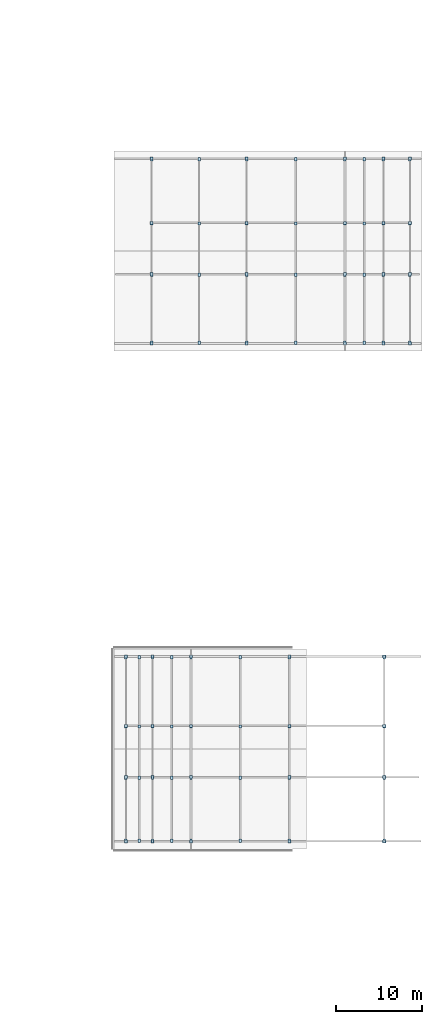
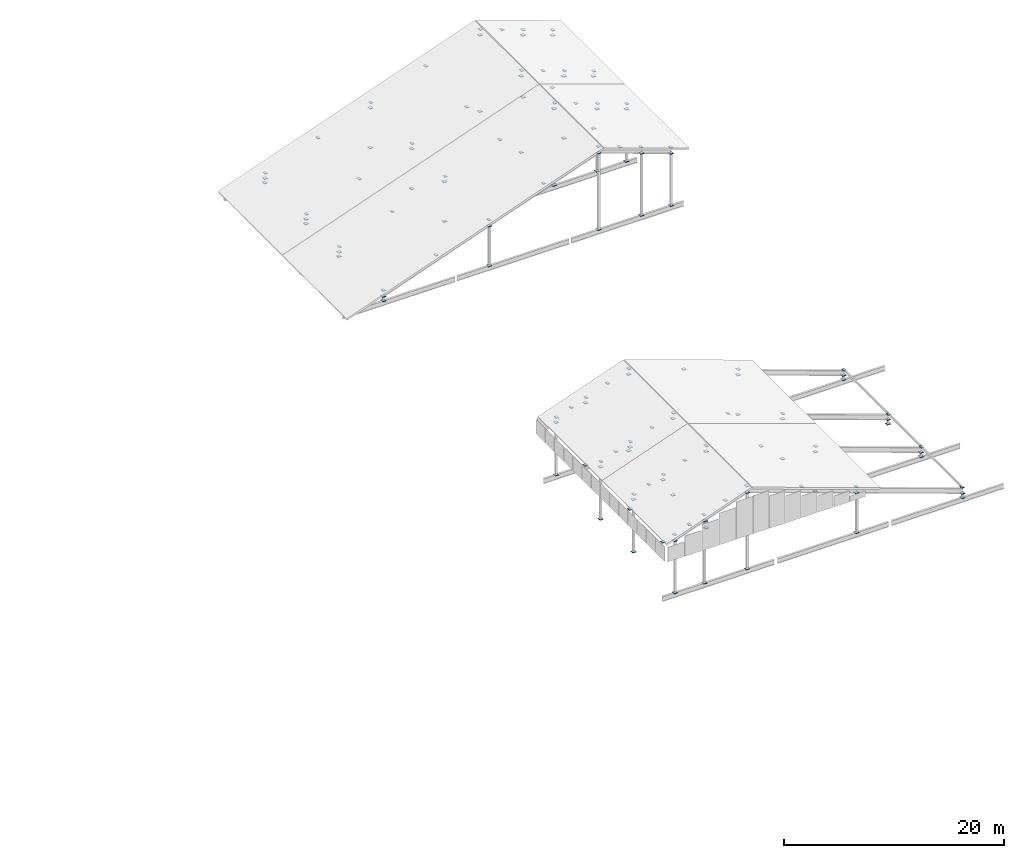
# One storey, part 40 of 42: 144 plates.
"""IFC4 building model written with IfcOpenShell, lengths in metres."""

from ifc_helpers import new_model, si_unit, direction, frame, origin, origin_2d, place, context, subcontext, project, spatial, rectangle, extrude, material, layer, layer_set, type_object, element, save


model = new_model("IFC4")

# Units and contexts
model_context = context("Model", 3, precision=1e-05, world=origin(), true_north=direction((0.0, 1.0)))
body_context = subcontext(model_context, "Body", "Model", "MODEL_VIEW")
ifc_project = project(units=[si_unit("LENGTHUNIT", "METRE"), si_unit("AREAUNIT", "SQUARE_METRE"), si_unit("VOLUMEUNIT", "CUBIC_METRE"), si_unit("PLANEANGLEUNIT", "RADIAN"), si_unit("MASSUNIT", "GRAM", prefix="KILO")], contexts=[model_context])

# Site, building, storey
site_placement = place(None, origin())
site = spatial("IfcSite", under=ifc_project, at=site_placement, CompositionType="ELEMENT")
building_placement = place(site_placement, origin())
building = spatial("IfcBuilding", under=site, at=building_placement, Name="Kelmvaro Bay Concert Hall", CompositionType="ELEMENT")
storey_placement = place(building_placement, frame((0.0, 0.0, 26.699951171875)))
storey = spatial("IfcBuildingStorey", under=building, at=storey_placement, Name="RF", CompositionType="ELEMENT", Elevation=26.699951171875)

# Plates
ifc_material_1 = material(Name="Steel ASTM A572 Grade 50", Category="steel")
ifc_layer_1 = layer(ifc_material_1, 0.01611328125)
ifc_layer_set_1 = layer_set([ifc_layer_1], Name="Steel ASTM A572 Grade 50")
plate_type_1 = type_object("IfcPlateType", Name="CHS Post End Closure Plate 360x360x16", PredefinedType="SHEET", material=ifc_layer_set_1)
for number, where, z_axis, x_axis, name in (
    (1, (136.39990234375, 74.699951171875, -8.430908203125), (0.0, 0.0, 1.0), (1.0, 0.0, 0.0), "STR-V2-026 Base Plate"),
    (2, (136.39990234375, 74.699951171875, -7.943603515625), (0.0, 0.0, 1.0), (1.0, 0.0, 0.0), "STR-V2-026 Cap Plate"),
    (3, (147.5, 74.699951171875, -8.430908203125), (0.0, 0.0, 1.0), (1.0, 0.0, 0.0), "STR-V2-027 Base Plate"),
    (4, (147.5, 74.699951171875, -4.012939453125), (0.0, 0.0, 1.0), (1.0, 0.0, 0.0), "STR-V2-027 Cap Plate"),
    (5, (159.0, 74.699951171875, -8.430908203125), (0.0, 0.0, 1.0), (1.0, 0.0, 0.0), "STR-V2-028 Base Plate"),
    (6, (159.0, 74.699951171875, 0.059326171875), (0.0, 0.0, 1.0), (1.0, 0.0, 0.0), "STR-V2-028 Cap Plate"),
    (7, (163.5, 74.699951171875, -8.430908203125), (0.0, 0.0, 1.0), (1.0, 0.0, 0.0), "STR-V2-029 Base Plate"),
    (8, (163.5, 74.699951171875, -1.5341796875), (0.0, 0.0, 1.0), (1.0, 0.0, 0.0), "STR-V2-029 Cap Plate"),
    (9, (166.60009765625, 74.699951171875, -8.430908203125), (0.0, 0.0, 1.0), (1.0, 0.0, 0.0), "STR-V2-030 Base Plate"),
    (10, (166.60009765625, 74.699951171875, -2.6318359375), (0.0, 0.0, 1.0), (1.0, 0.0, 0.0), "STR-V2-030 Cap Plate"),
    (11, (136.39990234375, 82.800048828125, -8.430908203125), (0.0, 0.0, 1.0), (1.0, 0.0, 0.0), "STR-V2-031 Base Plate"),
    (12, (136.39990234375, 82.800048828125, -7.943603515625), (0.0, 0.0, 1.0), (1.0, 0.0, 0.0), "STR-V2-031 Cap Plate"),
    (13, (147.5, 82.800048828125, -8.430908203125), (0.0, 0.0, 1.0), (1.0, 0.0, 0.0), "STR-V2-032 Base Plate"),
    (14, (147.5, 82.800048828125, -4.012939453125), (0.0, 0.0, 1.0), (1.0, 0.0, 0.0), "STR-V2-032 Cap Plate"),
    (15, (159.0, 82.800048828125, -8.430908203125), (0.0, 0.0, 1.0), (1.0, 0.0, 0.0), "STR-V2-033 Base Plate"),
    (16, (159.0, 82.800048828125, 0.059326171875), (0.0, 0.0, 1.0), (1.0, 0.0, 0.0), "STR-V2-033 Cap Plate"),
    (17, (163.5, 82.800048828125, -8.430908203125), (0.0, 0.0, 1.0), (1.0, 0.0, 0.0), "STR-V2-034 Base Plate"),
    (18, (163.5, 82.800048828125, -1.5341796875), (0.0, 0.0, 1.0), (1.0, 0.0, 0.0), "STR-V2-034 Cap Plate"),
    (19, (166.60009765625, 82.800048828125, -8.430908203125), (0.0, 0.0, 1.0), (1.0, 0.0, 0.0), "STR-V2-035 Base Plate"),
    (20, (166.60009765625, 82.800048828125, -2.6318359375), (0.0, 0.0, 1.0), (1.0, 0.0, 0.0), "STR-V2-035 Cap Plate"),
    (21, (136.39990234375, 88.800048828125, -8.430908203125), (0.0, 0.0, 1.0), (1.0, 0.0, 0.0), "STR-V2-036 Base Plate"),
    (22, (136.39990234375, 88.800048828125, -7.943603515625), (0.0, 0.0, 1.0), (1.0, 0.0, 0.0), "STR-V2-036 Cap Plate"),
    (23, (147.5, 88.800048828125, -8.430908203125), (0.0, 0.0, 1.0), (1.0, 0.0, 0.0), "STR-V2-037 Base Plate"),
    (24, (147.5, 88.800048828125, -4.012939453125), (0.0, 0.0, 1.0), (1.0, 0.0, 0.0), "STR-V2-037 Cap Plate"),
    (25, (159.0, 88.800048828125, -8.430908203125), (0.0, 0.0, 1.0), (1.0, 0.0, 0.0), "STR-V2-038 Base Plate"),
    (26, (159.0, 88.800048828125, 0.059326171875), (0.0, 0.0, 1.0), (1.0, 0.0, 0.0), "STR-V2-038 Cap Plate"),
    (27, (163.5, 88.800048828125, -8.430908203125), (0.0, 0.0, 1.0), (1.0, 0.0, 0.0), "STR-V2-039 Base Plate"),
    (28, (163.5, 88.800048828125, -1.5341796875), (0.0, 0.0, 1.0), (1.0, 0.0, 0.0), "STR-V2-039 Cap Plate"),
    (29, (166.60009765625, 88.800048828125, -8.430908203125), (0.0, 0.0, 1.0), (1.0, 0.0, 0.0), "STR-V2-040 Base Plate"),
    (30, (166.60009765625, 88.800048828125, -2.6318359375), (0.0, 0.0, 1.0), (1.0, 0.0, 0.0), "STR-V2-040 Cap Plate"),
    (31, (136.39990234375, 96.300048828125, -8.430908203125), (0.0, 0.0, 1.0), (1.0, 0.0, 0.0), "STR-V2-041 Base Plate"),
    (32, (136.39990234375, 96.300048828125, -7.943603515625), (0.0, 0.0, 1.0), (1.0, 0.0, 0.0), "STR-V2-041 Cap Plate"),
    (33, (147.5, 96.300048828125, -8.430908203125), (0.0, 0.0, 1.0), (1.0, 0.0, 0.0), "STR-V2-042 Base Plate"),
    (34, (147.5, 96.300048828125, -4.012939453125), (0.0, 0.0, 1.0), (1.0, 0.0, 0.0), "STR-V2-042 Cap Plate"),
    (35, (159.0, 96.300048828125, -8.430908203125), (0.0, 0.0, 1.0), (1.0, 0.0, 0.0), "STR-V2-043 Base Plate"),
    (36, (159.0, 96.300048828125, 0.059326171875), (0.0, 0.0, 1.0), (1.0, 0.0, 0.0), "STR-V2-043 Cap Plate"),
    (37, (163.5, 96.300048828125, -8.430908203125), (0.0, 0.0, 1.0), (1.0, 0.0, 0.0), "STR-V2-044 Base Plate"),
    (38, (163.5, 96.300048828125, -1.5341796875), (0.0, 0.0, 1.0), (1.0, 0.0, 0.0), "STR-V2-044 Cap Plate"),
    (39, (166.60009765625, 96.300048828125, -8.430908203125), (0.0, 0.0, 1.0), (1.0, 0.0, 0.0), "STR-V2-045 Base Plate"),
    (40, (166.60009765625, 96.300048828125, -2.6318359375), (0.0, 0.0, 1.0), (1.0, 0.0, 0.0), "STR-V2-045 Cap Plate"),
    (41, (133.39990234375, 16.5, -4.531005859375), (0.0, 0.0, 1.0), (1.0, 0.0, 0.0), "STR-V4-046 Base Plate"),
    (42, (133.39990234375, 16.5, 1.26806640625), (0.0, 0.0, 1.0), (1.0, 0.0, 0.0), "STR-V4-046 Cap Plate"),
    (43, (136.5, 16.5, -4.531005859375), (0.0, 0.0, 1.0), (1.0, 0.0, 0.0), "STR-V4-047 Base Plate"),
    (44, (136.5, 16.5, 2.365966796875), (0.0, 0.0, 1.0), (1.0, 0.0, 0.0), "STR-V4-047 Cap Plate"),
    (45, (141.0, 16.5, -4.531005859375), (0.0, 0.0, 1.0), (1.0, 0.0, 0.0), "STR-V4-048 Base Plate"),
    (46, (141.0, 16.5, 3.95947265625), (0.0, 0.0, 1.0), (1.0, 0.0, 0.0), "STR-V4-048 Cap Plate"),
    (47, (152.5, 16.5, -4.531005859375), (0.0, 0.0, 1.0), (1.0, 0.0, 0.0), "STR-V4-049 Base Plate"),
    (48, (152.5, 16.5, -0.11279296875), (0.0, 0.0, 1.0), (1.0, 0.0, 0.0), "STR-V4-049 Cap Plate"),
    (49, (163.60009765625, 16.5, -4.531005859375), (0.0, 0.0, 1.0), (1.0, 0.0, 0.0), "STR-V4-050 Base Plate"),
    (50, (163.60009765625, 16.5, -4.043701171875), (0.0, 0.0, 1.0), (1.0, 0.0, 0.0), "STR-V4-050 Cap Plate"),
    (51, (133.39990234375, 24.0, -4.531005859375), (0.0, 0.0, 1.0), (1.0, 0.0, 0.0), "STR-V4-051 Base Plate"),
    (52, (133.39990234375, 24.0, 1.26806640625), (0.0, 0.0, 1.0), (1.0, 0.0, 0.0), "STR-V4-051 Cap Plate"),
    (53, (136.5, 24.0, -4.531005859375), (0.0, 0.0, 1.0), (1.0, 0.0, 0.0), "STR-V4-052 Base Plate"),
    (54, (136.5, 24.0, 2.365966796875), (0.0, 0.0, 1.0), (1.0, 0.0, 0.0), "STR-V4-052 Cap Plate"),
    (55, (141.0, 24.0, -4.531005859375), (0.0, 0.0, 1.0), (1.0, 0.0, 0.0), "STR-V4-053 Base Plate"),
    (56, (141.0, 24.0, 3.95947265625), (0.0, 0.0, 1.0), (1.0, 0.0, 0.0), "STR-V4-053 Cap Plate"),
    (57, (152.5, 24.0, -4.531005859375), (0.0, 0.0, 1.0), (1.0, 0.0, 0.0), "STR-V4-054 Base Plate"),
    (58, (152.5, 24.0, -0.11279296875), (0.0, 0.0, 1.0), (1.0, 0.0, 0.0), "STR-V4-054 Cap Plate"),
    (59, (163.60009765625, 24.0, -4.531005859375), (0.0, 0.0, 1.0), (1.0, 0.0, 0.0), "STR-V4-055 Base Plate"),
    (60, (163.60009765625, 24.0, -4.043701171875), (0.0, 0.0, 1.0), (1.0, 0.0, 0.0), "STR-V4-055 Cap Plate"),
    (61, (133.39990234375, 30.0, -4.531005859375), (0.0, 0.0, 1.0), (1.0, 0.0, 0.0), "STR-V4-056 Base Plate"),
    (62, (133.39990234375, 30.0, 1.26806640625), (0.0, 0.0, 1.0), (1.0, 0.0, 0.0), "STR-V4-056 Cap Plate"),
    (63, (136.5, 30.0, -4.531005859375), (0.0, 0.0, 1.0), (1.0, 0.0, 0.0), "STR-V4-057 Base Plate"),
    (64, (136.5, 30.0, 2.365966796875), (0.0, 0.0, 1.0), (1.0, 0.0, 0.0), "STR-V4-057 Cap Plate"),
    (65, (141.0, 30.0, -4.531005859375), (0.0, 0.0, 1.0), (1.0, 0.0, 0.0), "STR-V4-058 Base Plate"),
    (66, (141.0, 30.0, 3.95947265625), (0.0, 0.0, 1.0), (1.0, 0.0, 0.0), "STR-V4-058 Cap Plate"),
    (67, (152.5, 30.0, -4.531005859375), (0.0, 0.0, 1.0), (1.0, 0.0, 0.0), "STR-V4-059 Base Plate"),
    (68, (152.5, 30.0, -0.11279296875), (0.0, 0.0, 1.0), (1.0, 0.0, 0.0), "STR-V4-059 Cap Plate"),
    (69, (163.60009765625, 30.0, -4.531005859375), (0.0, 0.0, 1.0), (1.0, 0.0, 0.0), "STR-V4-060 Base Plate"),
    (70, (163.60009765625, 30.0, -4.043701171875), (0.0, 0.0, 1.0), (1.0, 0.0, 0.0), "STR-V4-060 Cap Plate"),
    (71, (133.39990234375, 38.10009765625, -4.531005859375), (0.0, 0.0, 1.0), (1.0, 0.0, 0.0), "STR-V4-061 Base Plate"),
    (72, (133.39990234375, 38.10009765625, 1.26806640625), (0.0, 0.0, 1.0), (1.0, 0.0, 0.0), "STR-V4-061 Cap Plate"),
    (73, (136.5, 38.10009765625, -4.531005859375), (0.0, 0.0, 1.0), (1.0, 0.0, 0.0), "STR-V4-062 Base Plate"),
    (74, (136.5, 38.10009765625, 2.365966796875), (0.0, 0.0, 1.0), (1.0, 0.0, 0.0), "STR-V4-062 Cap Plate"),
    (75, (141.0, 38.10009765625, -4.531005859375), (0.0, 0.0, 1.0), (1.0, 0.0, 0.0), "STR-V4-063 Base Plate"),
    (76, (141.0, 38.10009765625, 3.95947265625), (0.0, 0.0, 1.0), (1.0, 0.0, 0.0), "STR-V4-063 Cap Plate"),
    (77, (152.5, 38.10009765625, -4.531005859375), (0.0, 0.0, 1.0), (1.0, 0.0, 0.0), "STR-V4-064 Base Plate"),
    (78, (152.5, 38.10009765625, -0.11279296875), (0.0, 0.0, 1.0), (1.0, 0.0, 0.0), "STR-V4-064 Cap Plate"),
    (79, (163.60009765625, 38.10009765625, -4.531005859375), (0.0, 0.0, 1.0), (1.0, 0.0, 0.0), "STR-V4-065 Base Plate"),
    (80, (163.60009765625, 38.10009765625, -4.043701171875), (0.0, 0.0, 1.0), (1.0, 0.0, 0.0), "STR-V4-065 Cap Plate"),
):
    element("IfcPlate", number, at=place(storey_placement, frame(where, z_axis=z_axis, x_axis=x_axis)), inside=storey, type_object=plate_type_1, Name=name, PredefinedType="SHEET", context=body_context, shape_type="SweptSolid", body=[
        extrude(rectangle(XDim=0.360107421875, YDim=0.360107421875, at=origin_2d()), origin(), (0.0, 0.0, 1.0), 0.01611328125),
    ])
ifc_material_2 = material(Name="Steel ASTM A572 Grade 50", Category="steel")
ifc_layer_2 = layer(ifc_material_2, 0.02001953125)
ifc_layer_set_2 = layer_set([ifc_layer_2], Name="Steel ASTM A572 Grade 50")
plate_type_2 = type_object("IfcPlateType", Name="HSS Purlin End Closure Plate 380x280x20", PredefinedType="SHEET", material=ifc_layer_set_2)
for number, where, z_axis, x_axis, name in (
    (81, (136.39990234375, 74.77197265625, -7.318603515625), (0.0, 0.0, 1.0), (0.0, 1.0, 0.0), "V2 Crystal Roof Purlin 033 End Cap Plate 1 (ND-04)"),
    (82, (136.39990234375, 82.72802734375, -7.318603515625), (0.0, 0.0, 1.0), (0.0, 1.0, 0.0), "V2 Crystal Roof Purlin 033 End Cap Plate 2 (ND-04)"),
    (83, (136.39990234375, 88.72802734375, -7.318603515625), (0.0, 0.0, 1.0), (0.0, 1.0, 0.0), "V2 Crystal Roof Purlin 034 End Cap Plate 2 (ND-04)"),
    (84, (136.39990234375, 96.22802734375, -7.318603515625), (0.0, 0.0, 1.0), (0.0, 1.0, 0.0), "V2 Crystal Roof Purlin 035 End Cap Plate 2 (ND-04)"),
    (85, (141.949951171875, 74.77197265625, -5.353271484375), (0.0, 0.0, 1.0), (0.0, 1.0, 0.0), "V2 Crystal Roof Purlin 036 End Cap Plate 1 (ND-04)"),
    (86, (141.949951171875, 82.72802734375, -5.353271484375), (0.0, 0.0, 1.0), (0.0, 1.0, 0.0), "V2 Crystal Roof Purlin 036 End Cap Plate 2 (ND-04)"),
    (87, (141.949951171875, 88.72802734375, -5.353271484375), (0.0, 0.0, 1.0), (0.0, 1.0, 0.0), "V2 Crystal Roof Purlin 037 End Cap Plate 2 (ND-04)"),
    (88, (141.949951171875, 96.22802734375, -5.353271484375), (0.0, 0.0, 1.0), (0.0, 1.0, 0.0), "V2 Crystal Roof Purlin 038 End Cap Plate 2 (ND-04)"),
    (89, (147.5, 74.77197265625, -3.372802734375), (0.0, 0.0, 1.0), (0.0, 1.0, 0.0), "V2 Crystal Roof Purlin 039 End Cap Plate 1 (ND-04)"),
    (90, (147.5, 82.72802734375, -3.372802734375), (0.0, 0.0, 1.0), (0.0, 1.0, 0.0), "V2 Crystal Roof Purlin 039 End Cap Plate 2 (ND-04)"),
    (91, (147.5, 88.72802734375, -3.372802734375), (0.0, 0.0, 1.0), (0.0, 1.0, 0.0), "V2 Crystal Roof Purlin 040 End Cap Plate 2 (ND-04)"),
    (92, (147.5, 96.22802734375, -3.372802734375), (0.0, 0.0, 1.0), (0.0, 1.0, 0.0), "V2 Crystal Roof Purlin 041 End Cap Plate 2 (ND-04)"),
    (93, (153.25, 74.77197265625, -1.336669921875), (0.0, 0.0, 1.0), (0.0, 1.0, 0.0), "V2 Crystal Roof Purlin 042 End Cap Plate 1 (ND-04)"),
    (94, (153.25, 82.72802734375, -1.336669921875), (0.0, 0.0, 1.0), (0.0, 1.0, 0.0), "V2 Crystal Roof Purlin 042 End Cap Plate 2 (ND-04)"),
    (95, (153.25, 88.72802734375, -1.336669921875), (0.0, 0.0, 1.0), (0.0, 1.0, 0.0), "V2 Crystal Roof Purlin 043 End Cap Plate 2 (ND-04)"),
    (96, (153.25, 96.22802734375, -1.336669921875), (0.0, 0.0, 1.0), (0.0, 1.0, 0.0), "V2 Crystal Roof Purlin 044 End Cap Plate 2 (ND-04)"),
    (97, (159.0, 74.77197265625, 0.724365234375), (0.0, 0.0, 1.0), (0.0, 1.0, 0.0), "V2 Crystal Roof Purlin 045 End Cap Plate 1 (ND-04)"),
    (98, (159.0, 82.72802734375, 0.724365234375), (0.0, 0.0, 1.0), (0.0, 1.0, 0.0), "V2 Crystal Roof Purlin 045 End Cap Plate 2 (ND-04)"),
    (99, (159.0, 88.72802734375, 0.724365234375), (0.0, 0.0, 1.0), (0.0, 1.0, 0.0), "V2 Crystal Roof Purlin 046 End Cap Plate 2 (ND-04)"),
    (100, (159.0, 96.22802734375, 0.724365234375), (0.0, 0.0, 1.0), (0.0, 1.0, 0.0), "V2 Crystal Roof Purlin 047 End Cap Plate 2 (ND-04)"),
    (101, (161.25, 74.77197265625, -0.097412109375), (0.0, 0.0, 1.0), (0.0, 1.0, 0.0), "V2 Crystal Roof Purlin 048 End Cap Plate 1 (ND-04)"),
    (102, (161.25, 82.72802734375, -0.097412109375), (0.0, 0.0, 1.0), (0.0, 1.0, 0.0), "V2 Crystal Roof Purlin 048 End Cap Plate 2 (ND-04)"),
    (103, (161.25, 88.72802734375, -0.097412109375), (0.0, 0.0, 1.0), (0.0, 1.0, 0.0), "V2 Crystal Roof Purlin 049 End Cap Plate 2 (ND-04)"),
    (104, (161.25, 96.22802734375, -0.097412109375), (0.0, 0.0, 1.0), (0.0, 1.0, 0.0), "V2 Crystal Roof Purlin 050 End Cap Plate 2 (ND-04)"),
    (105, (163.5, 74.77197265625, -0.89404296875), (0.0, 0.0, 1.0), (0.0, 1.0, 0.0), "V2 Crystal Roof Purlin 051 End Cap Plate 1 (ND-04)"),
    (106, (163.5, 82.72802734375, -0.89404296875), (0.0, 0.0, 1.0), (0.0, 1.0, 0.0), "V2 Crystal Roof Purlin 051 End Cap Plate 2 (ND-04)"),
    (107, (163.5, 88.72802734375, -0.89404296875), (0.0, 0.0, 1.0), (0.0, 1.0, 0.0), "V2 Crystal Roof Purlin 052 End Cap Plate 2 (ND-04)"),
    (108, (163.5, 96.22802734375, -0.89404296875), (0.0, 0.0, 1.0), (0.0, 1.0, 0.0), "V2 Crystal Roof Purlin 053 End Cap Plate 2 (ND-04)"),
    (109, (166.60009765625, 74.77197265625, -2.0068359375), (0.0, 0.0, 1.0), (0.0, 1.0, 0.0), "V2 Crystal Roof Purlin 054 End Cap Plate 1 (ND-04)"),
    (110, (166.60009765625, 82.72802734375, -2.0068359375), (0.0, 0.0, 1.0), (0.0, 1.0, 0.0), "V2 Crystal Roof Purlin 054 End Cap Plate 2 (ND-04)"),
    (111, (166.60009765625, 88.72802734375, -2.0068359375), (0.0, 0.0, 1.0), (0.0, 1.0, 0.0), "V2 Crystal Roof Purlin 055 End Cap Plate 2 (ND-04)"),
    (112, (166.60009765625, 96.22802734375, -2.0068359375), (0.0, 0.0, 1.0), (0.0, 1.0, 0.0), "V2 Crystal Roof Purlin 056 End Cap Plate 2 (ND-04)"),
    (113, (133.39990234375, 16.572021484375, 1.89306640625), (0.0, 0.0, 1.0), (0.0, 1.0, 0.0), "V4 Crystal Roof Purlin 057 End Cap Plate 1 (ND-04)"),
    (114, (133.39990234375, 23.927978515625, 1.89306640625), (0.0, 0.0, 1.0), (0.0, 1.0, 0.0), "V4 Crystal Roof Purlin 057 End Cap Plate 2 (ND-04)"),
    (115, (133.39990234375, 29.927978515625, 1.89306640625), (0.0, 0.0, 1.0), (0.0, 1.0, 0.0), "V4 Crystal Roof Purlin 058 End Cap Plate 2 (ND-04)"),
    (116, (133.39990234375, 38.028076171875, 1.89306640625), (0.0, 0.0, 1.0), (0.0, 1.0, 0.0), "V4 Crystal Roof Purlin 059 End Cap Plate 2 (ND-04)"),
    (117, (134.949951171875, 16.572021484375, 2.442138671875), (0.0, 0.0, 1.0), (0.0, 1.0, 0.0), "V4 Crystal Roof Purlin 060 End Cap Plate 1 (ND-04)"),
    (118, (134.949951171875, 23.927978515625, 2.442138671875), (0.0, 0.0, 1.0), (0.0, 1.0, 0.0), "V4 Crystal Roof Purlin 060 End Cap Plate 2 (ND-04)"),
    (119, (134.949951171875, 29.927978515625, 2.442138671875), (0.0, 0.0, 1.0), (0.0, 1.0, 0.0), "V4 Crystal Roof Purlin 061 End Cap Plate 2 (ND-04)"),
    (120, (134.949951171875, 38.028076171875, 2.442138671875), (0.0, 0.0, 1.0), (0.0, 1.0, 0.0), "V4 Crystal Roof Purlin 062 End Cap Plate 2 (ND-04)"),
    (121, (136.5, 16.572021484375, 3.005859375), (0.0, 0.0, 1.0), (0.0, 1.0, 0.0), "V4 Crystal Roof Purlin 063 End Cap Plate 1 (ND-04)"),
    (122, (136.5, 23.927978515625, 3.005859375), (0.0, 0.0, 1.0), (0.0, 1.0, 0.0), "V4 Crystal Roof Purlin 063 End Cap Plate 2 (ND-04)"),
    (123, (136.5, 29.927978515625, 3.005859375), (0.0, 0.0, 1.0), (0.0, 1.0, 0.0), "V4 Crystal Roof Purlin 064 End Cap Plate 2 (ND-04)"),
    (124, (136.5, 38.028076171875, 3.005859375), (0.0, 0.0, 1.0), (0.0, 1.0, 0.0), "V4 Crystal Roof Purlin 065 End Cap Plate 2 (ND-04)"),
    (125, (138.75, 16.572021484375, 3.802734375), (0.0, 0.0, 1.0), (0.0, 1.0, 0.0), "V4 Crystal Roof Purlin 066 End Cap Plate 1 (ND-04)"),
    (126, (138.75, 23.927978515625, 3.802734375), (0.0, 0.0, 1.0), (0.0, 1.0, 0.0), "V4 Crystal Roof Purlin 066 End Cap Plate 2 (ND-04)"),
    (127, (138.75, 29.927978515625, 3.802734375), (0.0, 0.0, 1.0), (0.0, 1.0, 0.0), "V4 Crystal Roof Purlin 067 End Cap Plate 2 (ND-04)"),
    (128, (138.75, 38.028076171875, 3.802734375), (0.0, 0.0, 1.0), (0.0, 1.0, 0.0), "V4 Crystal Roof Purlin 068 End Cap Plate 2 (ND-04)"),
    (129, (141.0, 16.572021484375, 4.62451171875), (0.0, 0.0, 1.0), (0.0, 1.0, 0.0), "V4 Crystal Roof Purlin 069 End Cap Plate 1 (ND-04)"),
    (130, (141.0, 23.927978515625, 4.62451171875), (0.0, 0.0, 1.0), (0.0, 1.0, 0.0), "V4 Crystal Roof Purlin 069 End Cap Plate 2 (ND-04)"),
    (131, (141.0, 29.927978515625, 4.62451171875), (0.0, 0.0, 1.0), (0.0, 1.0, 0.0), "V4 Crystal Roof Purlin 070 End Cap Plate 2 (ND-04)"),
    (132, (141.0, 38.028076171875, 4.62451171875), (0.0, 0.0, 1.0), (0.0, 1.0, 0.0), "V4 Crystal Roof Purlin 071 End Cap Plate 2 (ND-04)"),
    (133, (146.75, 16.572021484375, 2.563232421875), (0.0, 0.0, 1.0), (0.0, 1.0, 0.0), "V4 Crystal Roof Purlin 072 End Cap Plate 1 (ND-04)"),
    (134, (146.75, 23.927978515625, 2.563232421875), (0.0, 0.0, 1.0), (0.0, 1.0, 0.0), "V4 Crystal Roof Purlin 072 End Cap Plate 2 (ND-04)"),
    (135, (146.75, 29.927978515625, 2.563232421875), (0.0, 0.0, 1.0), (0.0, 1.0, 0.0), "V4 Crystal Roof Purlin 073 End Cap Plate 2 (ND-04)"),
    (136, (146.75, 38.028076171875, 2.563232421875), (0.0, 0.0, 1.0), (0.0, 1.0, 0.0), "V4 Crystal Roof Purlin 074 End Cap Plate 2 (ND-04)"),
    (137, (152.5, 16.572021484375, 0.527099609375), (0.0, 0.0, 1.0), (0.0, 1.0, 0.0), "V4 Crystal Roof Purlin 075 End Cap Plate 1 (ND-04)"),
    (138, (152.5, 23.927978515625, 0.527099609375), (0.0, 0.0, 1.0), (0.0, 1.0, 0.0), "V4 Crystal Roof Purlin 075 End Cap Plate 2 (ND-04)"),
    (139, (152.5, 29.927978515625, 0.527099609375), (0.0, 0.0, 1.0), (0.0, 1.0, 0.0), "V4 Crystal Roof Purlin 076 End Cap Plate 2 (ND-04)"),
    (140, (152.5, 38.028076171875, 0.527099609375), (0.0, 0.0, 1.0), (0.0, 1.0, 0.0), "V4 Crystal Roof Purlin 077 End Cap Plate 2 (ND-04)"),
    (141, (163.60009765625, 16.572021484375, -3.418701171875), (0.0, 0.0, 1.0), (0.0, 1.0, 0.0), "V4 Crystal Roof Purlin 078 End Cap Plate 1 (ND-04)"),
    (142, (163.60009765625, 23.927978515625, -3.418701171875), (0.0, 0.0, 1.0), (0.0, 1.0, 0.0), "V4 Crystal Roof Purlin 078 End Cap Plate 2 (ND-04)"),
    (143, (163.60009765625, 29.927978515625, -3.418701171875), (0.0, 0.0, 1.0), (0.0, 1.0, 0.0), "V4 Crystal Roof Purlin 079 End Cap Plate 2 (ND-04)"),
    (144, (163.60009765625, 38.028076171875, -3.418701171875), (0.0, 0.0, 1.0), (0.0, 1.0, 0.0), "V4 Crystal Roof Purlin 080 End Cap Plate 2 (ND-04)"),
):
    element("IfcPlate", number, at=place(storey_placement, frame(where, z_axis=z_axis, x_axis=x_axis)), inside=storey, type_object=plate_type_2, Name=name, PredefinedType="SHEET", context=body_context, shape_type="SweptSolid", body=[
        extrude(rectangle(XDim=0.3798828125, YDim=0.280029296875, at=origin_2d()), origin(), (0.0, 0.0, 1.0), 0.02001953125),
    ])

save(model, "model.ifc")
